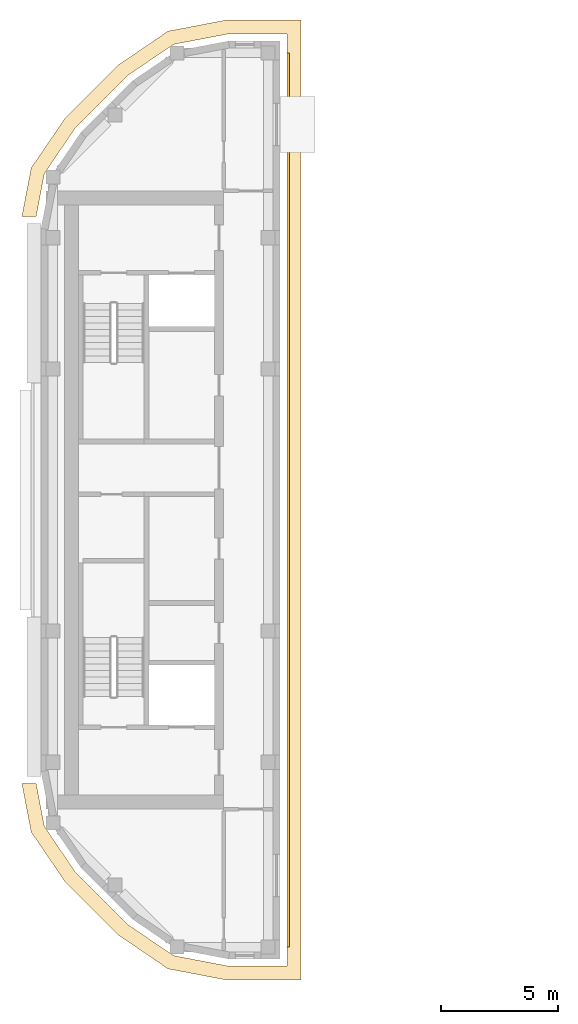
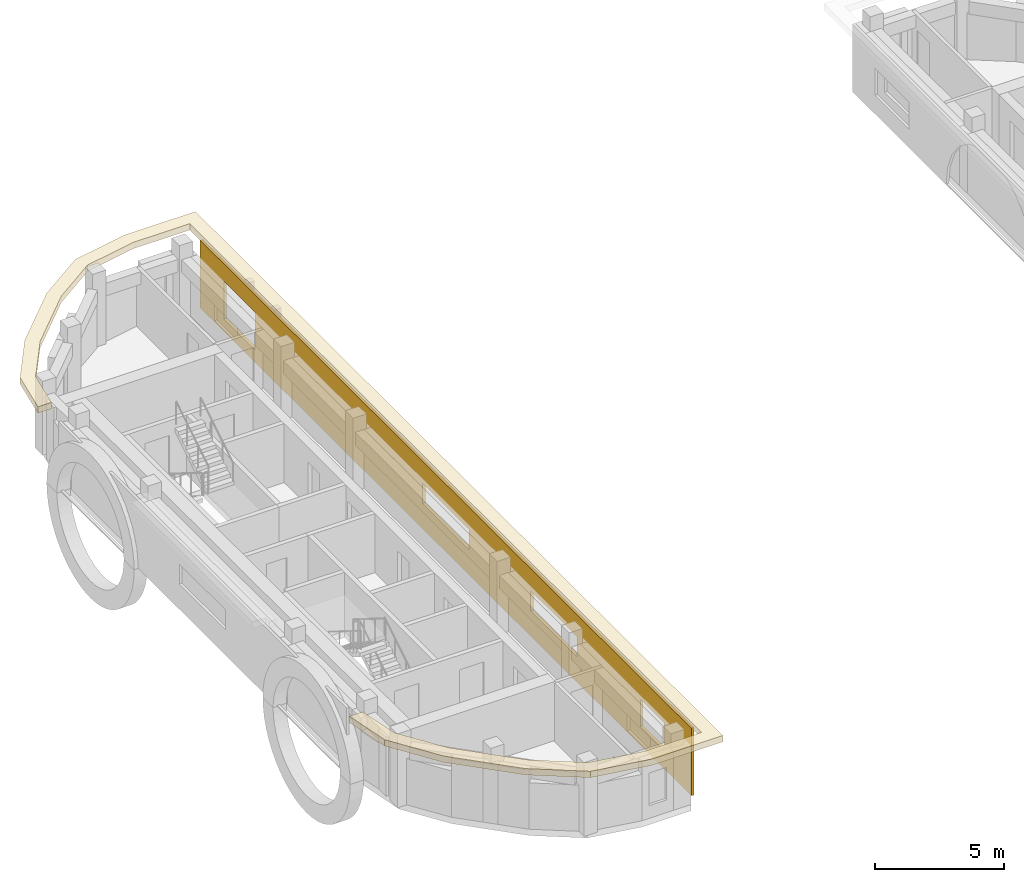
# One storey, part 7 of 12: 2 coverings.
"""IFC4 building model written with IfcOpenShell, lengths in metres."""

from ifc_helpers import new_model, si_unit, direction, frame, origin, place, context, subcontext, project, spatial, polyline, outline, extrude, material, layer, layer_set, type_object, element, save


model = new_model("IFC4")

# Units and contexts
model_context = context("Model", 3, precision=1e-05, world=origin(), true_north=direction((0.0, 1.0)))
body_context = subcontext(model_context, "Body", "Model", "MODEL_VIEW")
ifc_project = project(units=[si_unit("LENGTHUNIT", "METRE"), si_unit("AREAUNIT", "SQUARE_METRE"), si_unit("VOLUMEUNIT", "CUBIC_METRE"), si_unit("PLANEANGLEUNIT", "RADIAN"), si_unit("MASSUNIT", "GRAM", prefix="KILO")], contexts=[model_context])

# Site, building, storey
site_placement = place(None, origin())
site = spatial("IfcSite", under=ifc_project, at=site_placement, CompositionType="ELEMENT")
building_placement = place(site_placement, origin())
building = spatial("IfcBuilding", under=site, at=building_placement, Name="Kiln Ring Residences", CompositionType="ELEMENT")
storey_placement = place(building_placement, frame((0.0, 0.0, 310.39990234375)))
storey = spatial("IfcBuildingStorey", under=building, at=storey_placement, Name="L80 Crown", CompositionType="ELEMENT", Elevation=310.39990234375)

# Coverings
ifc_material_1 = material(Name="Brick masonry, dark clay brick", Category="masonry")
ifc_layer_1 = layer(ifc_material_1, 0.1201171875)
ifc_layer_set_1 = layer_set([ifc_layer_1], Name="RAINSCREEN PANEL 120")
covering_type_1 = type_object("IfcCoveringType", Name="RAINSCREEN PANEL 120", PredefinedType="CLADDING", material=ifc_layer_set_1)
covering_1_placement = place(storey_placement, frame((-14.639892578125, -19.10009765625, 0.0), z_axis=(0.0, 0.0, 1.0), x_axis=(0.0, 1.0, 0.0)))
element("IfcCovering", 1, at=covering_1_placement, inside=storey, type_object=covering_type_1, Name="RAINSCREEN L80 Crown", PredefinedType="CLADDING", context=body_context, shape_type="SweptSolid", body=[
    extrude(outline(polyline([(0.0, 0.0), (38.199951171875, 0.0), (38.199951171875, 3.2001953125), (0.0, 3.2001953125), (0.0, 0.0)]), holes=[polyline([(36.357421875, 0.580078125), (36.357421875, 2.3701171875), (33.91748046875, 2.3701171875), (33.91748046875, 0.580078125), (36.357421875, 0.580078125)]), polyline([(3.982421875, 0.880126953125), (3.982421875, 2.170166015625), (2.142578125, 2.170166015625), (2.142578125, 0.880126953125), (3.982421875, 0.880126953125)]), polyline([(12.5, 1.2001953125), (12.5, 2.150146484375), (8.89990234375, 2.150146484375), (8.89990234375, 1.2001953125), (12.5, 1.2001953125)]), polyline([(20.89990234375, 1.2001953125), (20.89990234375, 2.150146484375), (17.300048828125, 2.150146484375), (17.300048828125, 1.2001953125), (20.89990234375, 1.2001953125)])]), frame((0.0, 0.06005859375, 0.0), z_axis=(0.0, -1.0, 0.0), x_axis=(1.0, 0.0, 0.0)), (0.0, 0.0, 1.0), 0.1201171875),
])
ifc_material_2 = material(Name="Black powder-coated steel", Category="steel")
ifc_layer_2 = layer(ifc_material_2, 0.300048828125)
ifc_layer_set_2 = layer_set([ifc_layer_2], Name="SUNSHADE FIN 600")
covering_type_2 = type_object("IfcCoveringType", Name="SUNSHADE FIN 600", PredefinedType="CLADDING", material=ifc_layer_set_2)
covering_2_placement = place(storey_placement, frame((0.0, 0.0, 3.2001953125)))
element("IfcCovering", 2, at=covering_2_placement, inside=storey, type_object=covering_type_2, Name="SUNSHADE FIN L80 Crown", PredefinedType="CLADDING", context=body_context, shape_type="SweptSolid", body=[
    extrude(outline(polyline([(-25.625, -14.176025390625), (-24.199462890625, -16.273193359375), (-21.873291015625, -18.599609375), (-19.77587890625, -20.02490234375), (-17.28515625, -20.5), (-14.10009765625, -20.5), (-14.10009765625, 20.5), (-17.28515625, 20.5), (-19.77587890625, 20.02490234375), (-21.873291015625, 18.599609375), (-24.199462890625, 16.273193359375), (-25.625, 14.176025390625), (-26.02099609375, 12.10009765625), (-25.409912109375, 12.10009765625), (-25.058837890625, 13.94140625), (-23.735107421875, 15.88916015625), (-21.489013671875, 18.135009765625), (-19.54150390625, 19.458740234375), (-17.228515625, 19.89990234375), (-14.699951171875, 19.89990234375), (-14.699951171875, -19.89990234375), (-17.228515625, -19.89990234375), (-19.54150390625, -19.458740234375), (-21.489013671875, -18.135009765625), (-23.735107421875, -15.88916015625), (-25.058837890625, -13.94140625), (-25.409912109375, -12.10009765625), (-26.02099609375, -12.10009765625), (-25.625, -14.176025390625)])), origin(), (0.0, 0.0, 1.0), 0.2998046875),
])

save(model, "model.ifc")
